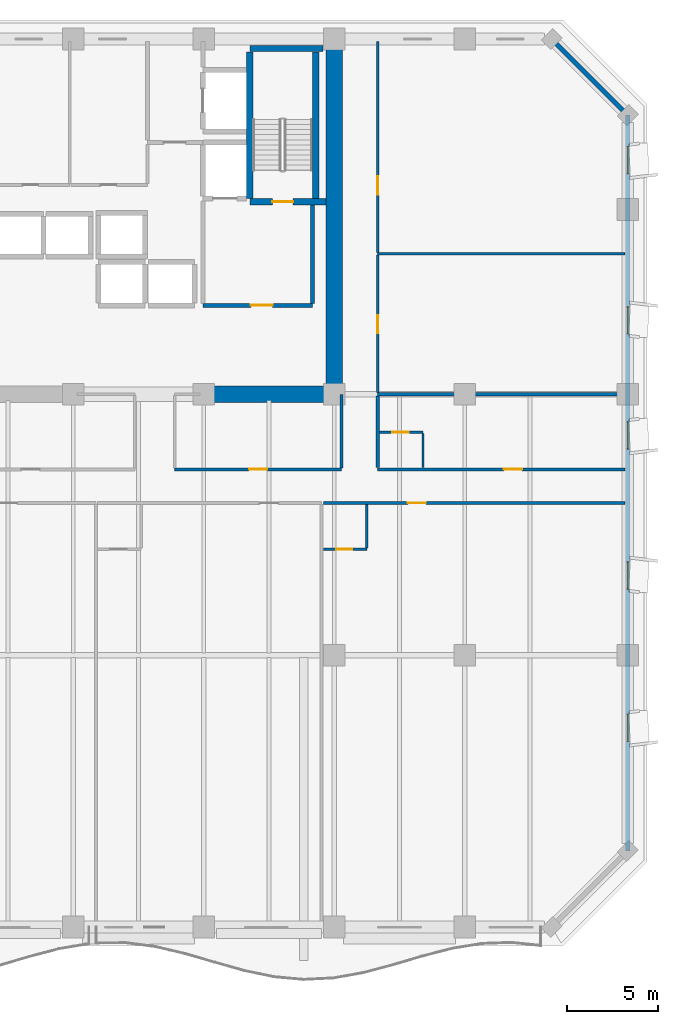
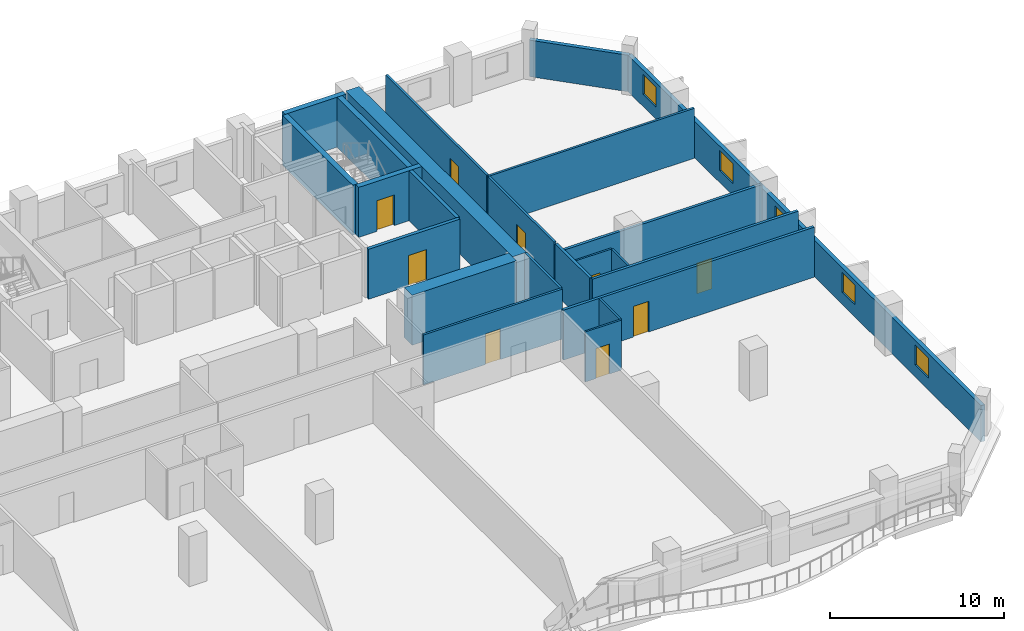
# One storey, part 10 of 15: 23 walls, 9 doors, 5 windows, 14 openings.
"""IFC4 building model written with IfcOpenShell, lengths in metres."""

from ifc_helpers import new_model, si_unit, direction, frame, frame_2d, origin, place, context, subcontext, project, spatial, rectangle, extrude, material, layer, layer_set, type_object, element, fill, save


model = new_model("IFC4")

# Units and contexts
model_context = context("Model", 3, precision=1e-05, world=origin(), true_north=direction((0.0, 1.0)))
body_context = subcontext(model_context, "Body", "Model", "MODEL_VIEW")
ifc_project = project(units=[si_unit("LENGTHUNIT", "METRE"), si_unit("AREAUNIT", "SQUARE_METRE"), si_unit("VOLUMEUNIT", "CUBIC_METRE"), si_unit("PLANEANGLEUNIT", "RADIAN"), si_unit("MASSUNIT", "GRAM", prefix="KILO")], contexts=[model_context])

# Site, building, storey
site_placement = place(None, origin())
site = spatial("IfcSite", under=ifc_project, at=site_placement, CompositionType="ELEMENT")
building_placement = place(site_placement, origin())
building = spatial("IfcBuilding", under=site, at=building_placement, Name="Kaelvorn Grand Hotel", CompositionType="ELEMENT")
storey_placement = place(building_placement, frame((0.0, 0.0, 108.050048828125)))
storey = spatial("IfcBuildingStorey", under=building, at=storey_placement, Name="L25", CompositionType="ELEMENT", Elevation=108.050048828125)

# Walls
ifc_material_1 = material(Name="Concrete C60/75", Category="concrete")
ifc_layer_1 = layer(ifc_material_1, 0.89990234375)
ifc_layer_set_1 = layer_set([ifc_layer_1], Name="Concrete C60/75")
wall_type_1 = type_object("IfcWallType", Name="WL-CORE-900-C60", PredefinedType="SHEAR", material=ifc_layer_set_1)
wall_1_placement = place(storey_placement, frame((67.800048828125, 29.39990234375, 0.0), z_axis=(0.0, 0.0, 1.0), x_axis=(0.0, 1.0, 0.0)))
element("IfcWall", 1, at=wall_1_placement, inside=storey, type_object=wall_type_1, Name="L25 Rear-Core East Shear Wall", PredefinedType="SHEAR", context=body_context, shape_type="SweptSolid", body=[
    extrude(rectangle(XDim=19.2001953125, YDim=0.89990234375, at=frame_2d((9.60009765625, 0.0))), origin(), (0.0, 0.0, 1.0), 3.510009765625),
])
wall_2_placement = place(storey_placement, frame((60.39990234375, 29.39990234375, 0.0), z_axis=(0.0, 0.0, 1.0), x_axis=(1.0, 0.0, 0.0)))
element("IfcWall", 2, at=wall_2_placement, inside=storey, type_object=wall_type_1, Name="L25 Rear-Core Coupled Shear Pier S4", PredefinedType="SHEAR", context=body_context, shape_type="SweptSolid", body=[
    extrude(rectangle(XDim=6.945068359375, YDim=0.89990234375, at=frame_2d((3.47265625, 0.0))), origin(), (0.0, 0.0, 1.0), 3.510009765625),
])

# Wall, openings, windows
ifc_material_2 = material(Name="Concrete C40/50", Category="concrete")
ifc_layer_2 = layer(ifc_material_2, 0.260009765625)
ifc_layer_set_2 = layer_set([ifc_layer_2], Name="Concrete C40/50")
wall_type_2 = type_object("IfcWallType", Name="WL-EXT-260-C40", PredefinedType="SOLIDWALL", material=ifc_layer_set_2)
wall_3_placement = place(storey_placement, frame((84.0, 4.199951171875, 0.0), z_axis=(0.0, 0.0, 1.0), x_axis=(0.0, 1.0, 0.0)))
wall_3 = element("IfcWall", 3, at=wall_3_placement, inside=storey, type_object=wall_type_2, Name="L25 Exterior Architectural Concrete Wall 03", PredefinedType="SOLIDWALL", context=body_context, shape_type="SweptSolid", body=[
    extrude(rectangle(XDim=40.60009765625, YDim=0.260009765625, at=frame_2d((20.300048828125, 0.0))), origin(), (0.0, 0.0, 1.0), 2.56005859375),
])
opening_1_placement = place(wall_3_placement, frame((6.050048828125, 0.0, 0.85009765625)))
opening_1 = element("IfcOpeningElement", 4, at=opening_1_placement, cuts=wall_3, Name="Opening W10", PredefinedType="OPENING", context=body_context, shape_type="SweptSolid", body=[
    extrude(rectangle(XDim=1.5, YDim=1.39990234375, at=frame_2d((0.75, 0.699951171875))), frame((0.0, 0.14013671875, 0.0), z_axis=(0.0, -1.0, 0.0), x_axis=(1.0, 0.0, 0.0)), (0.0, 0.0, 1.0), 0.280029296875),
])
opening_2_placement = place(wall_3_placement, frame((14.449951171875, 0.0, 0.85009765625)))
opening_2 = element("IfcOpeningElement", 5, at=opening_2_placement, cuts=wall_3, Name="Opening W10", PredefinedType="OPENING", context=body_context, shape_type="SweptSolid", body=[
    extrude(rectangle(XDim=1.5, YDim=1.39990234375, at=frame_2d((0.75, 0.699951171875))), frame((0.0, 0.14013671875, 0.0), z_axis=(0.0, -1.0, 0.0), x_axis=(1.0, 0.0, 0.0)), (0.0, 0.0, 1.0), 0.280029296875),
])
opening_3_placement = place(wall_3_placement, frame((22.175048828125, 0.0, 0.85009765625)))
opening_3 = element("IfcOpeningElement", 6, at=opening_3_placement, cuts=wall_3, Name="Opening W10", PredefinedType="OPENING", context=body_context, shape_type="SweptSolid", body=[
    extrude(rectangle(XDim=1.5, YDim=1.39990234375, at=frame_2d((0.75, 0.699951171875))), frame((0.0, 0.14013671875, 0.0), z_axis=(0.0, -1.0, 0.0), x_axis=(1.0, 0.0, 0.0)), (0.0, 0.0, 1.0), 0.280029296875),
])
opening_4_placement = place(wall_3_placement, frame((28.52490234375, 0.0, 0.85009765625)))
opening_4 = element("IfcOpeningElement", 7, at=opening_4_placement, cuts=wall_3, Name="Opening W10", PredefinedType="OPENING", context=body_context, shape_type="SweptSolid", body=[
    extrude(rectangle(XDim=1.5, YDim=1.39990234375, at=frame_2d((0.75, 0.699951171875))), frame((0.0, 0.14013671875, 0.0), z_axis=(0.0, -1.0, 0.0), x_axis=(1.0, 0.0, 0.0)), (0.0, 0.0, 1.0), 0.280029296875),
])
opening_5_placement = place(wall_3_placement, frame((37.364990234375, 0.0, 0.85009765625)))
opening_5 = element("IfcOpeningElement", 8, at=opening_5_placement, cuts=wall_3, Name="Opening W10", PredefinedType="OPENING", context=body_context, shape_type="SweptSolid", body=[
    extrude(rectangle(XDim=1.5, YDim=1.39990234375, at=frame_2d((0.75, 0.699951171875))), frame((0.0, 0.14013671875, 0.0), z_axis=(0.0, -1.0, 0.0), x_axis=(1.0, 0.0, 0.0)), (0.0, 0.0, 1.0), 0.280029296875),
])
ifc_material_3 = material(Name="Laminated Low-E Glass", Category="glass")
window_type = type_object("IfcWindowType", Name="WIN-COR-1500x1400", PartitioningType="SINGLE_PANEL", PredefinedType="WINDOW", material=ifc_material_3)
window_1_placement = place(opening_1_placement, origin())
window_1 = element("IfcWindow", 9, at=window_1_placement, inside=storey, type_object=window_type, Name="L25 E Wing Tilted-Frame Ribbon Window E01", OverallHeight=1.39990234375, OverallWidth=1.5, PartitioningType="SINGLE_PANEL", PredefinedType="WINDOW", context=body_context, shape_type="SweptSolid", body=[
    extrude(rectangle(XDim=1.5, YDim=1.39990234375, at=frame_2d((0.75, 0.699951171875))), frame((0.0, 0.030029296875, 0.0), z_axis=(0.0, -1.0, 0.0), x_axis=(1.0, 0.0, 0.0)), (0.0, 0.0, 1.0), 0.06005859375),
])
fill(opening_1, window_1)
window_2_placement = place(opening_2_placement, origin())
window_2 = element("IfcWindow", 10, at=window_2_placement, inside=storey, type_object=window_type, Name="L25 E Wing Tilted-Frame Ribbon Window E02", OverallHeight=1.39990234375, OverallWidth=1.5, PartitioningType="SINGLE_PANEL", PredefinedType="WINDOW", context=body_context, shape_type="SweptSolid", body=[
    extrude(rectangle(XDim=1.5, YDim=1.39990234375, at=frame_2d((0.75, 0.699951171875))), frame((0.0, 0.030029296875, 0.0), z_axis=(0.0, -1.0, 0.0), x_axis=(1.0, 0.0, 0.0)), (0.0, 0.0, 1.0), 0.06005859375),
])
fill(opening_2, window_2)
window_3_placement = place(opening_3_placement, origin())
window_3 = element("IfcWindow", 11, at=window_3_placement, inside=storey, type_object=window_type, Name="L25 E Wing Tilted-Frame Ribbon Window E03", OverallHeight=1.39990234375, OverallWidth=1.5, PartitioningType="SINGLE_PANEL", PredefinedType="WINDOW", context=body_context, shape_type="SweptSolid", body=[
    extrude(rectangle(XDim=1.5, YDim=1.39990234375, at=frame_2d((0.75, 0.699951171875))), frame((0.0, 0.030029296875, 0.0), z_axis=(0.0, -1.0, 0.0), x_axis=(1.0, 0.0, 0.0)), (0.0, 0.0, 1.0), 0.06005859375),
])
fill(opening_3, window_3)
window_4_placement = place(opening_4_placement, origin())
window_4 = element("IfcWindow", 12, at=window_4_placement, inside=storey, type_object=window_type, Name="L25 E Wing Tilted-Frame Ribbon Window E04", OverallHeight=1.39990234375, OverallWidth=1.5, PartitioningType="SINGLE_PANEL", PredefinedType="WINDOW", context=body_context, shape_type="SweptSolid", body=[
    extrude(rectangle(XDim=1.5, YDim=1.39990234375, at=frame_2d((0.75, 0.699951171875))), frame((0.0, 0.030029296875, 0.0), z_axis=(0.0, -1.0, 0.0), x_axis=(1.0, 0.0, 0.0)), (0.0, 0.0, 1.0), 0.06005859375),
])
fill(opening_4, window_4)
window_5_placement = place(opening_5_placement, origin())
window_5 = element("IfcWindow", 13, at=window_5_placement, inside=storey, type_object=window_type, Name="L25 E Wing Tilted-Frame Ribbon Window E05", OverallHeight=1.39990234375, OverallWidth=1.5, PartitioningType="SINGLE_PANEL", PredefinedType="WINDOW", context=body_context, shape_type="SweptSolid", body=[
    extrude(rectangle(XDim=1.5, YDim=1.39990234375, at=frame_2d((0.75, 0.699951171875))), frame((0.0, 0.030029296875, 0.0), z_axis=(0.0, -1.0, 0.0), x_axis=(1.0, 0.0, 0.0)), (0.0, 0.0, 1.0), 0.06005859375),
])
fill(opening_5, window_5)

# Wall
wall_4_placement = place(storey_placement, frame((84.0, 44.800048828125, 0.0), z_axis=(0.0, 0.0, 1.0), x_axis=(-0.707106781187, 0.707106781187, 0.0)))
element("IfcWall", 14, at=wall_4_placement, inside=storey, type_object=wall_type_2, Name="L25 Exterior Architectural Concrete Wall 04", PredefinedType="SOLIDWALL", context=body_context, shape_type="SweptSolid", body=[
    extrude(rectangle(XDim=5.939697265625, YDim=0.260009765625, at=frame_2d((2.9697265625, 0.0))), origin(), (0.0, 0.0, 1.0), 2.56005859375),
])

# Wall, opening, door
ifc_material_4 = material(Name="Moisture-Resistant Tile & Stud Board")
ifc_layer_3 = layer(ifc_material_4, 0.125)
ifc_layer_set_3 = layer_set([ifc_layer_3], Name="Moisture-Resistant Tile & Stud Board")
wall_type_3 = type_object("IfcWallType", Name="WL-PART-125-WET", PredefinedType="PARTITIONING", material=ifc_layer_set_3)
wall_5_placement = place(storey_placement, frame((67.1953125, 20.85009765625, 0.0), z_axis=(0.0, 0.0, 1.0), x_axis=(1.0, 0.0, 0.0)))
wall_5 = element("IfcWall", 15, at=wall_5_placement, inside=storey, type_object=wall_type_3, Name="L25 En-suite Bathroom L25-06 S Partition", PredefinedType="PARTITIONING", context=body_context, shape_type="SweptSolid", body=[
    extrude(rectangle(XDim=2.405029296875, YDim=0.125, at=frame_2d((1.20263671875, 0.0))), origin(), (0.0, 0.0, 1.0), 3.510009765625),
])
opening_6_placement = place(wall_5_placement, frame((0.705078125, 0.0, 0.0)))
opening_6 = element("IfcOpeningElement", 16, at=opening_6_placement, cuts=wall_5, Name="Opening DI4", PredefinedType="OPENING", context=body_context, shape_type="SweptSolid", body=[
    extrude(rectangle(XDim=0.89990234375, YDim=2.10009765625, at=frame_2d((0.449951171875, 1.050048828125))), frame((0.0, 0.072509765625, 0.0), z_axis=(0.0, -1.0, 0.0), x_axis=(1.0, 0.0, 0.0)), (0.0, 0.0, 1.0), 0.14501953125),
])
ifc_material_5 = material(Name="Timber Veneer Leaf", Category="wood")
door_type_1 = type_object("IfcDoorType", Name="DR-INT-BATH-900x2100", OperationType="NOTDEFINED", PredefinedType="DOOR", material=ifc_material_5)
door_1_placement = place(opening_6_placement, origin())
door_1 = element("IfcDoor", 17, at=door_1_placement, inside=storey, type_object=door_type_1, Name="L25 En-suite Bathroom L25-06 Door", OperationType="SINGLE_SWING_LEFT", OverallHeight=2.10009765625, OverallWidth=0.89990234375, PredefinedType="DOOR", context=body_context, shape_type="SweptSolid", body=[
    extrude(rectangle(XDim=0.89990234375, YDim=2.10009765625, at=frame_2d((0.449951171875, 1.050048828125))), frame((0.0, 0.02490234375, 0.0), z_axis=(0.0, -1.0, 0.0), x_axis=(1.0, 0.0, 0.0)), (0.0, 0.0, 1.0), 0.050048828125),
])
fill(opening_6, door_1)

# Wall
wall_6_placement = place(storey_placement, frame((69.600341796875, 20.91748046875, 0.0), z_axis=(0.0, 0.0, 1.0), x_axis=(0.0, 1.0, 0.0)))
element("IfcWall", 18, at=wall_6_placement, inside=storey, type_object=wall_type_3, Name="L25 En-suite Bathroom L25-06 E Partition", PredefinedType="PARTITIONING", context=body_context, shape_type="SweptSolid", body=[
    extrude(rectangle(XDim=2.387451171875, YDim=0.125, at=frame_2d((1.19384765625, 0.0))), origin(), (0.0, 0.0, 1.0), 3.510009765625),
])

# Wall, opening, door
wall_7_placement = place(storey_placement, frame((70.294921875, 27.300048828125, 0.0), z_axis=(0.0, 0.0, 1.0), x_axis=(1.0, 0.0, 0.0)))
wall_7 = element("IfcWall", 19, at=wall_7_placement, inside=storey, type_object=wall_type_3, Name="L25 En-suite Bathroom L25-08 N Partition", PredefinedType="PARTITIONING", context=body_context, shape_type="SweptSolid", body=[
    extrude(rectangle(XDim=2.405029296875, YDim=0.125, at=frame_2d((1.20263671875, 0.0))), origin(), (0.0, 0.0, 1.0), 3.510009765625),
])
opening_7_placement = place(wall_7_placement, frame((0.705078125, 0.0, 0.0)))
opening_7 = element("IfcOpeningElement", 20, at=opening_7_placement, cuts=wall_7, Name="Opening DI4", PredefinedType="OPENING", context=body_context, shape_type="SweptSolid", body=[
    extrude(rectangle(XDim=0.89990234375, YDim=2.10009765625, at=frame_2d((0.449951171875, 1.050048828125))), frame((0.0, 0.072509765625, 0.0), z_axis=(0.0, -1.0, 0.0), x_axis=(1.0, 0.0, 0.0)), (0.0, 0.0, 1.0), 0.14501953125),
])
door_2_placement = place(opening_7_placement, origin())
door_2 = element("IfcDoor", 21, at=door_2_placement, inside=storey, type_object=door_type_1, Name="L25 En-suite Bathroom L25-08 Door", OperationType="SINGLE_SWING_LEFT", OverallHeight=2.10009765625, OverallWidth=0.89990234375, PredefinedType="DOOR", context=body_context, shape_type="SweptSolid", body=[
    extrude(rectangle(XDim=0.89990234375, YDim=2.10009765625, at=frame_2d((0.449951171875, 1.050048828125))), frame((0.0, 0.02490234375, 0.0), z_axis=(0.0, -1.0, 0.0), x_axis=(1.0, 0.0, 0.0)), (0.0, 0.0, 1.0), 0.050048828125),
])
fill(opening_7, door_2)

# Wall
wall_8_placement = place(storey_placement, frame((72.699951171875, 25.344970703125, 0.0), z_axis=(0.0, 0.0, 1.0), x_axis=(0.0, 1.0, 0.0)))
element("IfcWall", 22, at=wall_8_placement, inside=storey, type_object=wall_type_3, Name="L25 En-suite Bathroom L25-08 E Partition", PredefinedType="PARTITIONING", context=body_context, shape_type="SweptSolid", body=[
    extrude(rectangle(XDim=1.887451171875, YDim=0.125, at=frame_2d((0.94384765625, 0.0))), origin(), (0.0, 0.0, 1.0), 3.510009765625),
])

# Wall, opening, door
ifc_material_6 = material(Name="Acoustic Gypsum & Stud Partition")
ifc_layer_4 = layer(ifc_material_6, 0.14990234375)
ifc_layer_set_4 = layer_set([ifc_layer_4], Name="Acoustic Gypsum & Stud Partition")
wall_type_4 = type_object("IfcWallType", Name="WL-PART-150-EI60", PredefinedType="PARTITIONING", material=ifc_layer_set_4)
wall_9_placement = place(storey_placement, frame((59.0, 25.25, 0.0), z_axis=(0.0, 0.0, 1.0), x_axis=(1.0, 0.0, 0.0)))
wall_9 = element("IfcWall", 23, at=wall_9_placement, inside=storey, type_object=wall_type_4, Name="L25 Trade Advisory Office S Partition", PredefinedType="PARTITIONING", context=body_context, shape_type="SweptSolid", body=[
    extrude(rectangle(XDim=9.199951171875, YDim=0.14990234375, at=frame_2d((4.60009765625, 0.0))), origin(), (0.0, 0.0, 1.0), 3.510009765625),
])
opening_8_placement = place(wall_9_placement, frame((4.10009765625, 0.0, 0.0)))
opening_8 = element("IfcOpeningElement", 24, at=opening_8_placement, cuts=wall_9, Name="Opening DI3", PredefinedType="OPENING", context=body_context, shape_type="SweptSolid", body=[
    extrude(rectangle(XDim=1.0, YDim=2.14990234375, at=frame_2d((0.5, 1.074951171875))), frame((0.0, 0.0849609375, 0.0), z_axis=(0.0, -1.0, 0.0), x_axis=(1.0, 0.0, 0.0)), (0.0, 0.0, 1.0), 0.169921875),
])
ifc_material_7 = material(Name="Timber Veneer Fire Leaf", Category="wood")
door_type_2 = type_object("IfcDoorType", Name="DR-INT-GUEST-1000x2150", OperationType="NOTDEFINED", PredefinedType="DOOR", material=ifc_material_7)
door_3_placement = place(opening_8_placement, origin())
door_3 = element("IfcDoor", 25, at=door_3_placement, inside=storey, type_object=door_type_2, Name="L25 Trade Advisory Office Door", OperationType="SINGLE_SWING_LEFT", OverallHeight=2.14990234375, OverallWidth=1.0, PredefinedType="DOOR", context=body_context, shape_type="SweptSolid", body=[
    extrude(rectangle(XDim=1.0, YDim=2.14990234375, at=frame_2d((0.5, 1.074951171875))), frame((0.0, 0.02490234375, 0.0), z_axis=(0.0, -1.0, 0.0), x_axis=(1.0, 0.0, 0.0)), (0.0, 0.0, 1.0), 0.050048828125),
])
fill(opening_8, door_3)

# Walls
wall_10_placement = place(storey_placement, frame((68.199951171875, 25.330078125, 0.0), z_axis=(0.0, 0.0, 1.0), x_axis=(0.0, 1.0, 0.0)))
element("IfcWall", 26, at=wall_10_placement, inside=storey, type_object=wall_type_4, Name="L25 Trade Advisory Office E Partition", PredefinedType="PARTITIONING", context=body_context, shape_type="SweptSolid", body=[
    extrude(rectangle(XDim=4.059814453125, YDim=0.14990234375, at=frame_2d((2.02978515625, 0.0))), origin(), (0.0, 0.0, 1.0), 3.510009765625),
])
wall_11_placement = place(storey_placement, frame((70.199951171875, 37.14990234375, 0.0), z_axis=(0.0, 0.0, 1.0), x_axis=(1.0, 0.0, 0.0)))
element("IfcWall", 27, at=wall_11_placement, inside=storey, type_object=wall_type_4, Name="L25 North-East Trade Advisory Office N Partition", PredefinedType="PARTITIONING", context=body_context, shape_type="SweptSolid", body=[
    extrude(rectangle(XDim=13.650146484375, YDim=0.14990234375, at=frame_2d((6.8251953125, 0.0))), origin(), (0.0, 0.0, 1.0), 3.510009765625),
])

# Wall, opening, door
wall_12_placement = place(storey_placement, frame((70.199951171875, 29.4951171875, 0.0), z_axis=(0.0, 0.0, 1.0), x_axis=(0.0, 1.0, 0.0)))
wall_12 = element("IfcWall", 28, at=wall_12_placement, inside=storey, type_object=wall_type_4, Name="L25 North-East Trade Advisory Office W Partition", PredefinedType="PARTITIONING", context=body_context, shape_type="SweptSolid", body=[
    extrude(rectangle(XDim=7.574951171875, YDim=0.14990234375, at=frame_2d((3.78759765625, 0.0))), origin(), (0.0, 0.0, 1.0), 3.510009765625),
])
opening_9_placement = place(wall_12_placement, frame((3.27490234375, 0.0, 0.0)))
opening_9 = element("IfcOpeningElement", 29, at=opening_9_placement, cuts=wall_12, Name="Opening DI3", PredefinedType="OPENING", context=body_context, shape_type="SweptSolid", body=[
    extrude(rectangle(XDim=1.0, YDim=2.14990234375, at=frame_2d((0.5, 1.074951171875))), frame((0.0, 0.0849609375, 0.0), z_axis=(0.0, -1.0, 0.0), x_axis=(1.0, 0.0, 0.0)), (0.0, 0.0, 1.0), 0.169921875),
])
door_4_placement = place(opening_9_placement, origin())
door_4 = element("IfcDoor", 30, at=door_4_placement, inside=storey, type_object=door_type_2, Name="L25 North-East Trade Advisory Office Door", OperationType="SINGLE_SWING_RIGHT", OverallHeight=2.14990234375, OverallWidth=1.0, PredefinedType="DOOR", context=body_context, shape_type="SweptSolid", body=[
    extrude(rectangle(XDim=1.0, YDim=2.14990234375, at=frame_2d((0.5, 1.074951171875))), frame((0.0, 0.02490234375, 0.0), z_axis=(0.0, -1.0, 0.0), x_axis=(1.0, 0.0, 0.0)), (0.0, 0.0, 1.0), 0.050048828125),
])
fill(opening_9, door_4)

wall_13_placement = place(storey_placement, frame((70.199951171875, 37.22998046875, 0.0), z_axis=(0.0, 0.0, 1.0), x_axis=(0.0, 1.0, 0.0)))
wall_13 = element("IfcWall", 31, at=wall_13_placement, inside=storey, type_object=wall_type_4, Name="L25 North-East Botanical Conservatory Salon W Partition", PredefinedType="PARTITIONING", context=body_context, shape_type="SweptSolid", body=[
    extrude(rectangle(XDim=11.6201171875, YDim=0.14990234375, at=frame_2d((5.81005859375, 0.0))), origin(), (0.0, 0.0, 1.0), 3.510009765625),
])
opening_10_placement = place(wall_13_placement, frame((3.18994140625, 0.0, 0.0)))
opening_10 = element("IfcOpeningElement", 32, at=opening_10_placement, cuts=wall_13, Name="Opening DI3", PredefinedType="OPENING", context=body_context, shape_type="SweptSolid", body=[
    extrude(rectangle(XDim=1.0, YDim=2.14990234375, at=frame_2d((0.5, 1.074951171875))), frame((0.0, 0.0849609375, 0.0), z_axis=(0.0, -1.0, 0.0), x_axis=(1.0, 0.0, 0.0)), (0.0, 0.0, 1.0), 0.169921875),
])
door_5_placement = place(opening_10_placement, origin())
door_5 = element("IfcDoor", 33, at=door_5_placement, inside=storey, type_object=door_type_2, Name="L25 North-East Botanical Conservatory Salon Door", OperationType="SINGLE_SWING_LEFT", OverallHeight=2.14990234375, OverallWidth=1.0, PredefinedType="DOOR", context=body_context, shape_type="SweptSolid", body=[
    extrude(rectangle(XDim=1.0, YDim=2.14990234375, at=frame_2d((0.5, 1.074951171875))), frame((0.0, 0.02490234375, 0.0), z_axis=(0.0, -1.0, 0.0), x_axis=(1.0, 0.0, 0.0)), (0.0, 0.0, 1.0), 0.050048828125),
])
fill(opening_10, door_5)

ifc_layer_5 = layer(ifc_material_6, 0.179931640625)
ifc_layer_set_5 = layer_set([ifc_layer_5], Name="Acoustic Gypsum & Stud Partition")
wall_type_5 = type_object("IfcWallType", Name="WL-PART-180-EI60", PredefinedType="PARTITIONING", material=ifc_layer_set_5)
wall_14_placement = place(storey_placement, frame((67.1953125, 23.39990234375, 0.0), z_axis=(0.0, 0.0, 1.0), x_axis=(1.0, 0.0, 0.0)))
wall_14 = element("IfcWall", 34, at=wall_14_placement, inside=storey, type_object=wall_type_5, Name="L25 Presidential Sky Suite L25-06 N Partition", PredefinedType="PARTITIONING", context=body_context, shape_type="SweptSolid", body=[
    extrude(rectangle(XDim=16.65478515625, YDim=0.179931640625, at=frame_2d((8.327392578125, 0.0))), origin(), (0.0, 0.0, 1.0), 3.510009765625),
])
opening_11_placement = place(wall_14_placement, frame((4.664794921875, 0.0, 0.0)))
opening_11 = element("IfcOpeningElement", 35, at=opening_11_placement, cuts=wall_14, Name="Opening DI3", PredefinedType="OPENING", context=body_context, shape_type="SweptSolid", body=[
    extrude(rectangle(XDim=1.0, YDim=2.14990234375, at=frame_2d((0.5, 1.074951171875))), frame((0.0, 0.10009765625, 0.0), z_axis=(0.0, -1.0, 0.0), x_axis=(1.0, 0.0, 0.0)), (0.0, 0.0, 1.0), 0.199951171875),
])
door_6_placement = place(opening_11_placement, origin())
door_6 = element("IfcDoor", 36, at=door_6_placement, inside=storey, type_object=door_type_2, Name="L25 Presidential Sky Suite L25-06 Door", OperationType="SINGLE_SWING_RIGHT", OverallHeight=2.14990234375, OverallWidth=1.0, PredefinedType="DOOR", context=body_context, shape_type="SweptSolid", body=[
    extrude(rectangle(XDim=1.0, YDim=2.14990234375, at=frame_2d((0.5, 1.074951171875))), frame((0.0, 0.02490234375, 0.0), z_axis=(0.0, -1.0, 0.0), x_axis=(1.0, 0.0, 0.0)), (0.0, 0.0, 1.0), 0.050048828125),
])
fill(opening_11, door_6)

wall_15_placement = place(storey_placement, frame((70.199951171875, 25.25, 0.0), z_axis=(0.0, 0.0, 1.0), x_axis=(1.0, 0.0, 0.0)))
wall_15 = element("IfcWall", 37, at=wall_15_placement, inside=storey, type_object=wall_type_5, Name="L25 East Chamfer Corner Suite L25-08 S Partition", PredefinedType="PARTITIONING", context=body_context, shape_type="SweptSolid", body=[
    extrude(rectangle(XDim=13.650146484375, YDim=0.179931640625, at=frame_2d((6.8251953125, 0.0))), origin(), (0.0, 0.0, 1.0), 3.510009765625),
])
opening_12_placement = place(wall_15_placement, frame((6.965087890625, 0.0, 0.0)))
opening_12 = element("IfcOpeningElement", 38, at=opening_12_placement, cuts=wall_15, Name="Opening DI3", PredefinedType="OPENING", context=body_context, shape_type="SweptSolid", body=[
    extrude(rectangle(XDim=1.0, YDim=2.14990234375, at=frame_2d((0.5, 1.074951171875))), frame((0.0, 0.10009765625, 0.0), z_axis=(0.0, -1.0, 0.0), x_axis=(1.0, 0.0, 0.0)), (0.0, 0.0, 1.0), 0.199951171875),
])
door_7_placement = place(opening_12_placement, origin())
door_7 = element("IfcDoor", 39, at=door_7_placement, inside=storey, type_object=door_type_2, Name="L25 East Chamfer Corner Suite L25-08 Door", OperationType="SINGLE_SWING_RIGHT", OverallHeight=2.14990234375, OverallWidth=1.0, PredefinedType="DOOR", context=body_context, shape_type="SweptSolid", body=[
    extrude(rectangle(XDim=1.0, YDim=2.14990234375, at=frame_2d((0.5, 1.074951171875))), frame((0.0, 0.02490234375, 0.0), z_axis=(0.0, -1.0, 0.0), x_axis=(1.0, 0.0, 0.0)), (0.0, 0.0, 1.0), 0.050048828125),
])
fill(opening_12, door_7)

# Walls
wall_16_placement = place(storey_placement, frame((70.199951171875, 29.39990234375, 0.0), z_axis=(0.0, 0.0, 1.0), x_axis=(1.0, 0.0, 0.0)))
element("IfcWall", 40, at=wall_16_placement, inside=storey, type_object=wall_type_5, Name="L25 East Chamfer Corner Suite L25-08 N Partition", PredefinedType="PARTITIONING", context=body_context, shape_type="SweptSolid", body=[
    extrude(rectangle(XDim=13.650146484375, YDim=0.179931640625, at=frame_2d((6.8251953125, 0.0))), origin(), (0.0, 0.0, 1.0), 2.85986328125),
])
wall_17_placement = place(storey_placement, frame((70.199951171875, 25.344970703125, 0.0), z_axis=(0.0, 0.0, 1.0), x_axis=(0.0, 1.0, 0.0)))
element("IfcWall", 41, at=wall_17_placement, inside=storey, type_object=wall_type_5, Name="L25 East Chamfer Corner Suite L25-08 W Partition", PredefinedType="PARTITIONING", context=body_context, shape_type="SweptSolid", body=[
    extrude(rectangle(XDim=3.9599609375, YDim=0.179931640625, at=frame_2d((1.97998046875, 0.0))), origin(), (0.0, 0.0, 1.0), 3.510009765625),
])

# Wall, opening, door
ifc_layer_6 = layer(ifc_material_2, 0.219970703125)
ifc_layer_set_6 = layer_set([ifc_layer_6], Name="Concrete C40/50")
wall_type_6 = type_object("IfcWallType", Name="WL-PART-220-EI120", PredefinedType="PARTITIONING", material=ifc_layer_set_6)
wall_18_placement = place(storey_placement, frame((60.550048828125, 34.300048828125, 0.0), z_axis=(0.0, 0.0, 1.0), x_axis=(1.0, 0.0, 0.0)))
wall_18 = element("IfcWall", 42, at=wall_18_placement, inside=storey, type_object=wall_type_6, Name="L25 Firefighting Lift Lobby 2 S Partition", PredefinedType="PARTITIONING", context=body_context, shape_type="SweptSolid", body=[
    extrude(rectangle(XDim=6.050048828125, YDim=0.219970703125, at=frame_2d((3.02490234375, 0.0))), origin(), (0.0, 0.0, 1.0), 3.510009765625),
])
opening_13_placement = place(wall_18_placement, frame((2.64990234375, 0.0, 0.0)))
opening_13 = element("IfcOpeningElement", 43, at=opening_13_placement, cuts=wall_18, Name="Opening DI2", PredefinedType="OPENING", context=body_context, shape_type="SweptSolid", body=[
    extrude(rectangle(XDim=1.199951171875, YDim=2.14990234375, at=frame_2d((0.60009765625, 1.074951171875))), frame((0.0, 0.1201171875, 0.0), z_axis=(0.0, -1.0, 0.0), x_axis=(1.0, 0.0, 0.0)), (0.0, 0.0, 1.0), 0.239990234375),
])
door_type_3 = type_object("IfcDoorType", Name="DR-INT-FFLOB-1200x2150", OperationType="NOTDEFINED", PredefinedType="DOOR", material=ifc_material_7)
door_8_placement = place(opening_13_placement, origin())
door_8 = element("IfcDoor", 44, at=door_8_placement, inside=storey, type_object=door_type_3, Name="L25 Firefighting Lift Lobby 2 Door", OperationType="SINGLE_SWING_RIGHT", OverallHeight=2.14990234375, OverallWidth=1.199951171875, PredefinedType="DOOR", context=body_context, shape_type="SweptSolid", body=[
    extrude(rectangle(XDim=1.199951171875, YDim=2.14990234375, at=frame_2d((0.60009765625, 1.074951171875))), frame((0.0, 0.02490234375, 0.0), z_axis=(0.0, -1.0, 0.0), x_axis=(1.0, 0.0, 0.0)), (0.0, 0.0, 1.0), 0.050048828125),
])
fill(opening_13, door_8)

# Wall
wall_19_placement = place(storey_placement, frame((66.60009765625, 34.4150390625, 0.0), z_axis=(0.0, 0.0, 1.0), x_axis=(0.0, 1.0, 0.0)))
element("IfcWall", 45, at=wall_19_placement, inside=storey, type_object=wall_type_6, Name="L25 Firefighting Lift Lobby 2 E Partition", PredefinedType="PARTITIONING", context=body_context, shape_type="SweptSolid", body=[
    extrude(rectangle(XDim=5.429931640625, YDim=0.219970703125, at=frame_2d((2.71484375, 0.0))), origin(), (0.0, 0.0, 1.0), 3.510009765625),
])

# Wall, opening, door
ifc_layer_7 = layer(ifc_material_1, 0.35009765625)
ifc_layer_set_7 = layer_set([ifc_layer_7], Name="Concrete C60/75")
wall_type_7 = type_object("IfcWallType", Name="WL-SHAFT-350-C60", PredefinedType="SHEAR", material=ifc_layer_set_7)
wall_20_placement = place(storey_placement, frame((63.14501953125, 40.02490234375, 0.0), z_axis=(0.0, 0.0, 1.0), x_axis=(1.0, 0.0, 0.0)))
wall_20 = element("IfcWall", 46, at=wall_20_placement, inside=storey, type_object=wall_type_7, Name="L25 ST3 Stair Shaft South Wall", PredefinedType="SHEAR", context=body_context, shape_type="SweptSolid", body=[
    extrude(rectangle(XDim=4.199951171875, YDim=0.35009765625, at=frame_2d((2.10009765625, 0.0))), origin(), (0.0, 0.0, 1.0), 3.510009765625),
])
opening_14_placement = place(wall_20_placement, frame((1.239990234375, 0.0, 0.0)))
opening_14 = element("IfcOpeningElement", 47, at=opening_14_placement, cuts=wall_20, Name="Opening DI1", PredefinedType="OPENING", context=body_context, shape_type="SweptSolid", body=[
    extrude(rectangle(XDim=1.14990234375, YDim=2.14990234375, at=frame_2d((0.574951171875, 1.074951171875))), frame((0.0, 0.18505859375, 0.0), z_axis=(0.0, -1.0, 0.0), x_axis=(1.0, 0.0, 0.0)), (0.0, 0.0, 1.0), 0.3701171875),
])
door_type_4 = type_object("IfcDoorType", Name="DR-INT-STAIR-1150x2150", OperationType="NOTDEFINED", PredefinedType="DOOR", material=ifc_material_7)
door_9_placement = place(opening_14_placement, origin())
door_9 = element("IfcDoor", 48, at=door_9_placement, inside=storey, type_object=door_type_4, Name="L25 ST3 Exit Stair Fire Door", OperationType="SINGLE_SWING_RIGHT", OverallHeight=2.14990234375, OverallWidth=1.14990234375, PredefinedType="DOOR", context=body_context, shape_type="SweptSolid", body=[
    extrude(rectangle(XDim=1.14990234375, YDim=2.14990234375, at=frame_2d((0.574951171875, 1.074951171875))), frame((0.0, 0.02490234375, 0.0), z_axis=(0.0, -1.0, 0.0), x_axis=(1.0, 0.0, 0.0)), (0.0, 0.0, 1.0), 0.050048828125),
])
fill(opening_14, door_9)

# Walls
wall_21_placement = place(storey_placement, frame((63.14501953125, 48.47509765625, 0.0), z_axis=(0.0, 0.0, 1.0), x_axis=(1.0, 0.0, 0.0)))
element("IfcWall", 49, at=wall_21_placement, inside=storey, type_object=wall_type_7, Name="L25 ST3 Stair Shaft North Wall", PredefinedType="SHEAR", context=body_context, shape_type="SweptSolid", body=[
    extrude(rectangle(XDim=4.050048828125, YDim=0.35009765625, at=frame_2d((2.02490234375, 0.0))), origin(), (0.0, 0.0, 1.0), 3.510009765625),
])
for number, where, z_axis, x_axis, name in (
    (50, (63.14501953125, 40.205078125, 0.0), (0.0, 0.0, 1.0), (0.0, 1.0, 0.0), "L25 ST3 Stair Shaft West Wall"),
    (51, (66.77490234375, 40.205078125, 0.0), (0.0, 0.0, 1.0), (0.0, 1.0, 0.0), "L25 ST3 Stair Shaft East Wall"),
):
    element("IfcWall", number, at=place(storey_placement, frame(where, z_axis=z_axis, x_axis=x_axis)), inside=storey, type_object=wall_type_7, Name=name, PredefinedType="SHEAR", context=body_context, shape_type="SweptSolid", body=[
        extrude(rectangle(XDim=8.08984375, YDim=0.35009765625, at=frame_2d((4.044921875, 0.0))), origin(), (0.0, 0.0, 1.0), 3.510009765625),
    ])

save(model, "model.ifc")
